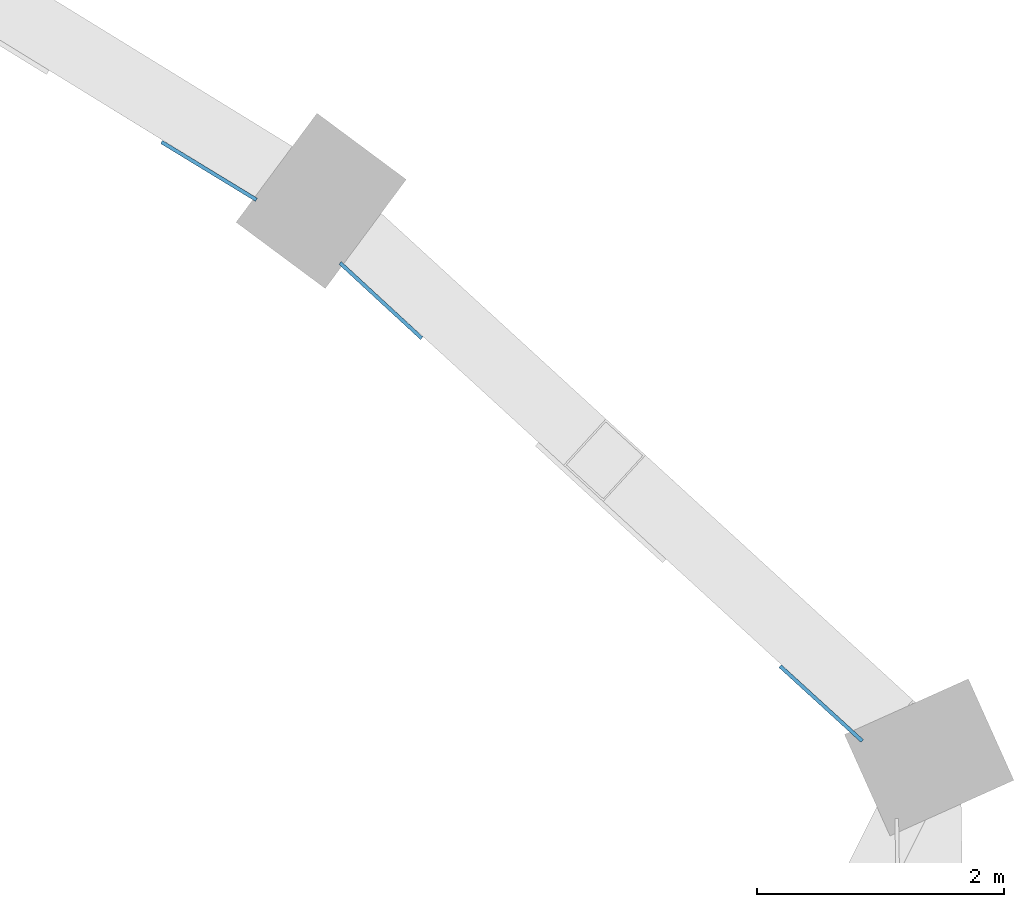
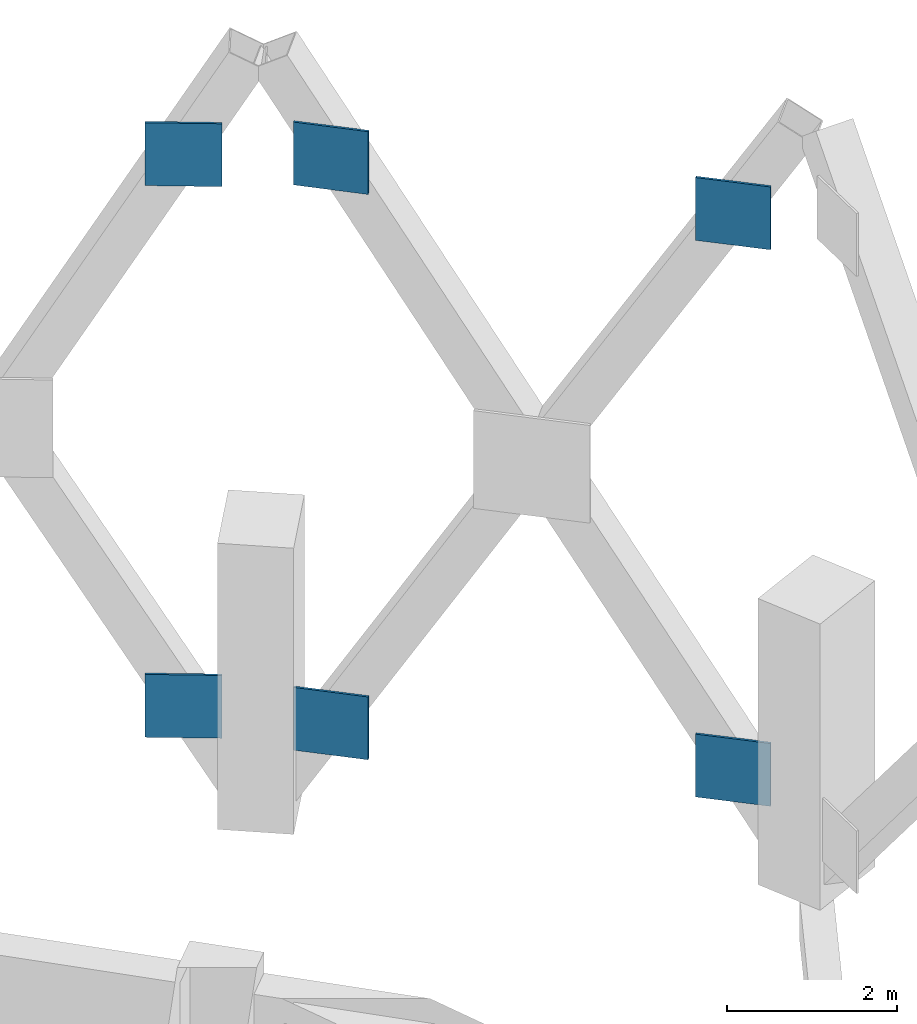
# One storey, part 8 of 16: 6 discrete accessories.
"""IFC4 building model written with IfcOpenShell, lengths in metres."""

from ifc_helpers import new_model, si_unit, direction, frame, origin, origin_2d, place, context, subcontext, project, spatial, rectangle, extrude, material, material_profile, profile_set, type_object, element, save


model = new_model("IFC4")

# Units and contexts
model_context = context("Model", 3, precision=1e-05, world=origin(), true_north=direction((0.0, 1.0)))
body_context = subcontext(model_context, "Body", "Model", "MODEL_VIEW")
ifc_project = project(units=[si_unit("LENGTHUNIT", "METRE"), si_unit("AREAUNIT", "SQUARE_METRE"), si_unit("VOLUMEUNIT", "CUBIC_METRE"), si_unit("PLANEANGLEUNIT", "RADIAN"), si_unit("MASSUNIT", "GRAM", prefix="KILO")], contexts=[model_context])

# Site, building, storey
site_placement = place(None, origin())
site = spatial("IfcSite", under=ifc_project, at=site_placement, CompositionType="ELEMENT")
building_placement = place(site_placement, origin())
building = spatial("IfcBuilding", under=site, at=building_placement, Name="Cypress Arch Tower", CompositionType="ELEMENT")
storey_placement = place(building_placement, frame((0.0, 0.0, 181.0)))
storey = spatial("IfcBuildingStorey", under=building, at=storey_placement, Name="L39", CompositionType="ELEMENT", Elevation=181.0)

# Discrete accessories
ifc_material = material(Name="Steel ASTM A992", Category="steel")
ifc_material_profile = material_profile(ifc_material, rectangle(XDim=0.89990234375, YDim=0.89990234375, at=origin_2d()), Name="PL 30 900x900")
ifc_profile_set = profile_set([ifc_material_profile], Name="Steel ASTM A992")
discrete_accessory_type = type_object("IfcDiscreteAccessoryType", Name="Gusset plate 900x900x30 Steel ASTM A992", PredefinedType="ANCHORPLATE", material=ifc_profile_set)
discrete_accessory_1_placement = place(storey_placement, frame((23.198974609375, 14.20654296875, 1.562744140625), z_axis=(-0.673884243496, -0.738836941664, 0.0), x_axis=(0.738836941664, -0.673884243496, 0.0)))
element("IfcDiscreteAccessory", 1, at=discrete_accessory_1_placement, inside=storey, type_object=discrete_accessory_type, Name="Gusset plate L39 CQ15-CQ16u0", PredefinedType="ANCHORPLATE", context=body_context, shape_type="SweptSolid", body=[
    extrude(rectangle(XDim=0.89990234375, YDim=0.89990234375, at=origin_2d()), origin(), (0.0, 0.0, 1.0), 0.030029296875),
])
discrete_accessory_2_placement = place(storey_placement, frame((19.63232421875, 17.470947265625, 9.599853515625), z_axis=(-0.677940786048, -0.735116514991, 0.0), x_axis=(0.735116514991, -0.677940786048, 0.0)))
element("IfcDiscreteAccessory", 2, at=discrete_accessory_2_placement, inside=storey, type_object=discrete_accessory_type, Name="Gusset plate L39 CQ15-CQ16u1", PredefinedType="ANCHORPLATE", context=body_context, shape_type="SweptSolid", body=[
    extrude(rectangle(XDim=0.89990234375, YDim=0.89990234375, at=origin_2d()), origin(), (0.0, 0.0, 1.0), 0.02978515625),
])
discrete_accessory_3_placement = place(storey_placement, frame((23.198974609375, 14.20654296875, 9.537109375), z_axis=(-0.673884243496, -0.738836941664, 0.0), x_axis=(0.738836941664, -0.673884243496, 0.0)))
element("IfcDiscreteAccessory", 3, at=discrete_accessory_3_placement, inside=storey, type_object=discrete_accessory_type, Name="Gusset plate L39 CQ15-CQ16d0", PredefinedType="ANCHORPLATE", context=body_context, shape_type="SweptSolid", body=[
    extrude(rectangle(XDim=0.89990234375, YDim=0.89990234375, at=origin_2d()), origin(), (0.0, 0.0, 1.0), 0.030029296875),
])
discrete_accessory_4_placement = place(storey_placement, frame((19.63232421875, 17.470947265625, 1.5), z_axis=(-0.677940786048, -0.735116514991, 0.0), x_axis=(0.735116514991, -0.677940786048, 0.0)))
element("IfcDiscreteAccessory", 4, at=discrete_accessory_4_placement, inside=storey, type_object=discrete_accessory_type, Name="Gusset plate L39 CQ15-CQ16d1", PredefinedType="ANCHORPLATE", context=body_context, shape_type="SweptSolid", body=[
    extrude(rectangle(XDim=0.89990234375, YDim=0.89990234375, at=origin_2d()), origin(), (0.0, 0.0, 1.0), 0.02978515625),
])
for number, where, z_axis, x_axis, name in (
    (5, (18.237060546875, 18.523681640625, 1.597900390625), (-0.520462828118, -0.853884327381, 0.0), (0.853884327381, -0.520462828118, 0.0), "Gusset plate L39 CQ16-CQ17u0"),
    (6, (18.237060546875, 18.523681640625, 9.501953125), (-0.520462828118, -0.853884327381, 0.0), (0.853884327381, -0.520462828118, 0.0), "Gusset plate L39 CQ16-CQ17d0"),
):
    element("IfcDiscreteAccessory", number, at=place(storey_placement, frame(where, z_axis=z_axis, x_axis=x_axis)), inside=storey, type_object=discrete_accessory_type, Name=name, PredefinedType="ANCHORPLATE", context=body_context, shape_type="SweptSolid", body=[
        extrude(rectangle(XDim=0.89990234375, YDim=0.89990234375, at=origin_2d()), origin(), (0.0, 0.0, 1.0), 0.030029296875),
    ])

save(model, "model.ifc")
